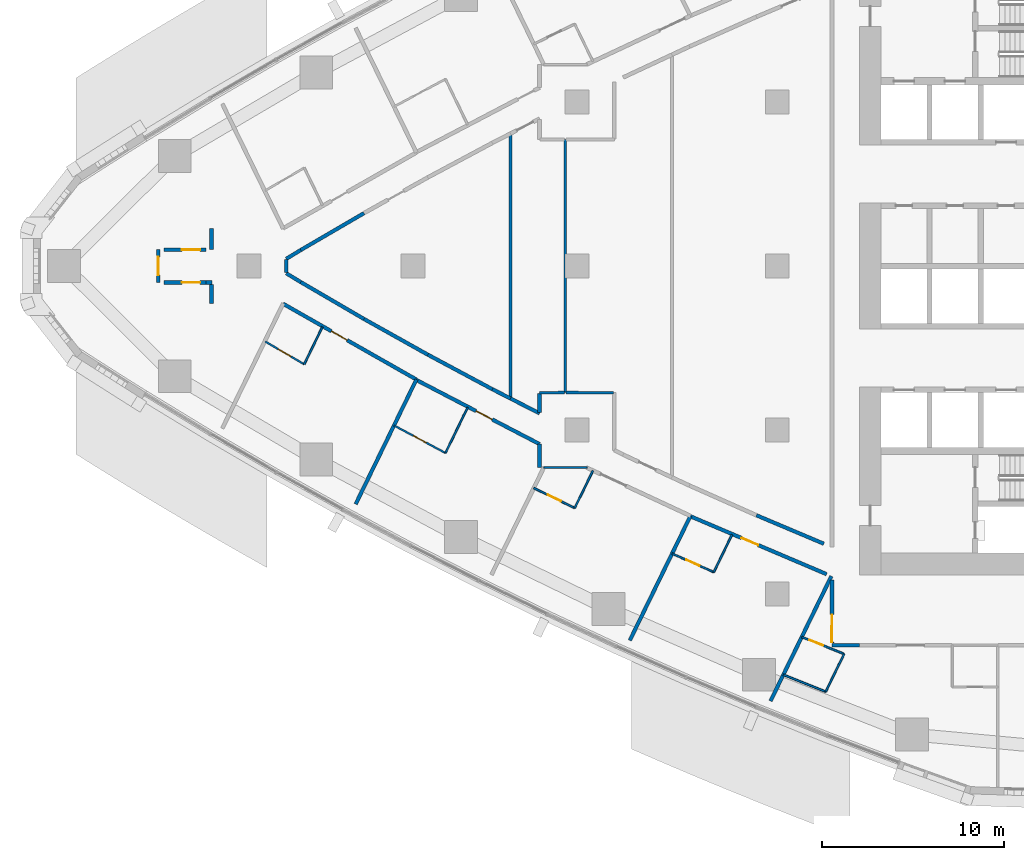
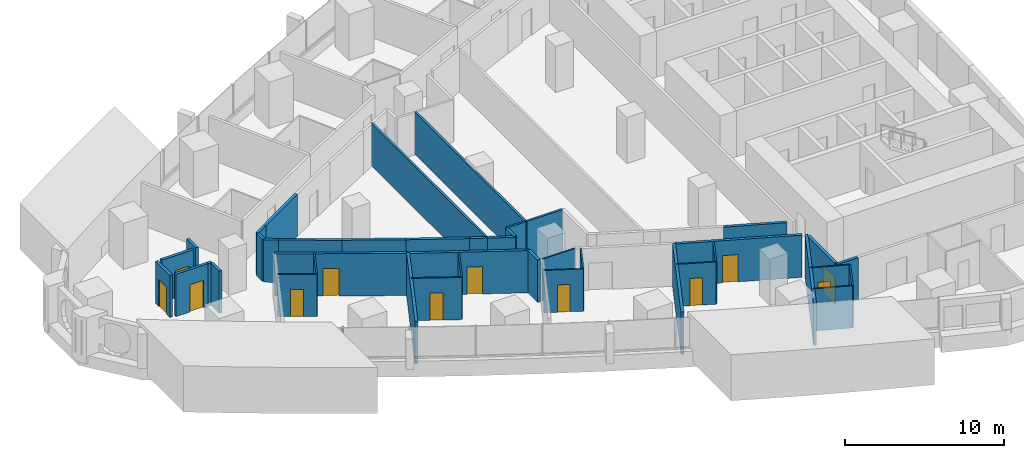
# One storey, part 9 of 19: 42 walls, 12 doors, 12 openings.
"""IFC4 building model written with IfcOpenShell, lengths in metres."""

from ifc_helpers import new_model, si_unit, direction, frame, frame_2d, origin, place, context, subcontext, project, spatial, rectangle, extrude, material, layer, layer_set, type_object, element, fill, save


model = new_model("IFC4")

# Units and contexts
model_context = context("Model", 3, precision=1e-05, world=origin(), true_north=direction((0.0, 1.0)))
body_context = subcontext(model_context, "Body", "Model", "MODEL_VIEW")
ifc_project = project(units=[si_unit("LENGTHUNIT", "METRE"), si_unit("AREAUNIT", "SQUARE_METRE"), si_unit("VOLUMEUNIT", "CUBIC_METRE"), si_unit("PLANEANGLEUNIT", "RADIAN"), si_unit("MASSUNIT", "GRAM", prefix="KILO")], contexts=[model_context])

# Site, building, storey
site_placement = place(None, origin())
site = spatial("IfcSite", under=ifc_project, at=site_placement, CompositionType="ELEMENT")
building_placement = place(site_placement, origin())
building = spatial("IfcBuilding", under=site, at=building_placement, Name="Ostrand Prow Hotel Tower", CompositionType="ELEMENT")
storey_placement = place(building_placement, frame((0.0, 0.0, 50.25)))
storey = spatial("IfcBuildingStorey", under=building, at=storey_placement, Name="L10", CompositionType="ELEMENT", Elevation=50.25)

# Wall
ifc_material_1 = material(Name="Plasterboard partition")
ifc_layer_1 = layer(ifc_material_1, 0.10009765625)
ifc_layer_set_1 = layer_set([ifc_layer_1], Name="Plasterboard partition")
wall_type_1 = type_object("IfcWallType", Name="Partition 100 bathroom wall", PredefinedType="PARTITIONING", material=ifc_layer_set_1)
wall_1_placement = place(storey_placement, frame((20.035400390625, -3.338134765625, 0.0), z_axis=(0.0, 0.0, 1.0), x_axis=(-0.438122322582, -0.898915363344, 0.0)))
element("IfcWall", 1, at=wall_1_placement, inside=storey, type_object=wall_type_1, Name="BATHROOM WALL", PredefinedType="PARTITIONING", context=body_context, shape_type="SweptSolid", body=[
    extrude(rectangle(XDim=2.282958984375, YDim=0.10009765625, at=frame_2d((1.1416015625, 0.0))), origin(), (0.0, 0.0, 1.0), 3.25),
])

# Wall, opening, door
wall_2_placement = place(storey_placement, frame((19.034912109375, -5.390380859375, 0.0), z_axis=(0.0, 0.0, 1.0), x_axis=(-0.863707305865, 0.503993739837, 0.0)))
wall_2 = element("IfcWall", 2, at=wall_2_placement, inside=storey, type_object=wall_type_1, Name="BATHROOM WALL", PredefinedType="PARTITIONING", context=body_context, shape_type="SweptSolid", body=[
    extrude(rectangle(XDim=2.473876953125, YDim=0.10009765625, at=frame_2d((1.23681640625, 0.0))), origin(), (0.0, 0.0, 1.0), 3.25),
])
opening_1_placement = place(wall_2_placement, frame((0.85009765625, 0.0, 0.0)))
opening_1 = element("IfcOpeningElement", 3, at=opening_1_placement, cuts=wall_2, Name="Opening D2", PredefinedType="OPENING", context=body_context, shape_type="SweptSolid", body=[
    extrude(rectangle(XDim=0.800048828125, YDim=2.10009765625, at=frame_2d((0.39990234375, 1.050048828125))), frame((0.0, 0.06005859375, 0.0), z_axis=(0.0, -1.0, 0.0), x_axis=(1.0, 0.0, 0.0)), (0.0, 0.0, 1.0), 0.1201171875),
])
ifc_material_2 = material(Name="Timber door leaf", Category="wood")
door_type_1 = type_object("IfcDoorType", Name="Bathroom door 800", OperationType="SINGLE_SWING_LEFT", PredefinedType="DOOR", material=ifc_material_2)
door_1_placement = place(opening_1_placement, origin())
door_1 = element("IfcDoor", 4, at=door_1_placement, inside=storey, type_object=door_type_1, Name="DOOR", OperationType="SINGLE_SWING_LEFT", OverallHeight=2.10009765625, OverallWidth=0.800048828125, PredefinedType="DOOR", context=body_context, shape_type="SweptSolid", body=[
    extrude(rectangle(XDim=0.800048828125, YDim=2.10009765625, at=frame_2d((0.39990234375, 1.050048828125))), frame((0.0, 0.02490234375, 0.0), z_axis=(0.0, -1.0, 0.0), x_axis=(1.0, 0.0, 0.0)), (0.0, 0.0, 1.0), 0.050048828125),
])
fill(opening_1, door_1)

# Wall
wall_3_placement = place(storey_placement, frame((28.00341796875, -7.7607421875, 0.0), z_axis=(0.0, 0.0, 1.0), x_axis=(-0.43822975423, -0.898862994292, 0.0)))
element("IfcWall", 5, at=wall_3_placement, inside=storey, type_object=wall_type_1, Name="BATHROOM WALL", PredefinedType="PARTITIONING", context=body_context, shape_type="SweptSolid", body=[
    extrude(rectangle(XDim=2.77880859375, YDim=0.10009765625, at=frame_2d((1.389404296875, 0.0))), origin(), (0.0, 0.0, 1.0), 3.25),
])

# Wall, opening, door
wall_4_placement = place(storey_placement, frame((26.785400390625, -10.258544921875, 0.0), z_axis=(0.0, 0.0, 1.0), x_axis=(-0.881653338438, 0.471897648672, 0.0)))
wall_4 = element("IfcWall", 6, at=wall_4_placement, inside=storey, type_object=wall_type_1, Name="BATHROOM WALL", PredefinedType="PARTITIONING", context=body_context, shape_type="SweptSolid", body=[
    extrude(rectangle(XDim=3.201904296875, YDim=0.10009765625, at=frame_2d((1.60107421875, 0.0))), origin(), (0.0, 0.0, 1.0), 3.25),
])
opening_2_placement = place(wall_4_placement, frame((1.199951171875, 0.0, 0.0)))
opening_2 = element("IfcOpeningElement", 7, at=opening_2_placement, cuts=wall_4, Name="Opening D2", PredefinedType="OPENING", context=body_context, shape_type="SweptSolid", body=[
    extrude(rectangle(XDim=0.800048828125, YDim=2.10009765625, at=frame_2d((0.39990234375, 1.050048828125))), frame((0.0, 0.06005859375, 0.0), z_axis=(0.0, -1.0, 0.0), x_axis=(1.0, 0.0, 0.0)), (0.0, 0.0, 1.0), 0.1201171875),
])
door_2_placement = place(opening_2_placement, origin())
door_2 = element("IfcDoor", 8, at=door_2_placement, inside=storey, type_object=door_type_1, Name="DOOR", OperationType="SINGLE_SWING_LEFT", OverallHeight=2.10009765625, OverallWidth=0.800048828125, PredefinedType="DOOR", context=body_context, shape_type="SweptSolid", body=[
    extrude(rectangle(XDim=0.800048828125, YDim=2.10009765625, at=frame_2d((0.39990234375, 1.050048828125))), frame((0.0, 0.02490234375, 0.0), z_axis=(0.0, -1.0, 0.0), x_axis=(1.0, 0.0, 0.0)), (0.0, 0.0, 1.0), 0.050048828125),
])
fill(opening_2, door_2)

# Wall
wall_5_placement = place(storey_placement, frame((34.876708984375, -11.233154296875, 0.0), z_axis=(0.0, 0.0, 1.0), x_axis=(-0.438227154656, -0.898864261678, 0.0)))
element("IfcWall", 9, at=wall_5_placement, inside=storey, type_object=wall_type_1, Name="BATHROOM WALL", PredefinedType="PARTITIONING", context=body_context, shape_type="SweptSolid", body=[
    extrude(rectangle(XDim=2.27685546875, YDim=0.10009765625, at=frame_2d((1.138427734375, 0.0))), origin(), (0.0, 0.0, 1.0), 3.25),
])

# Wall, opening, door
wall_6_placement = place(storey_placement, frame((33.87890625, -13.27978515625, 0.0), z_axis=(0.0, 0.0, 1.0), x_axis=(-0.89845285455, 0.439070003702, 0.0)))
wall_6 = element("IfcWall", 10, at=wall_6_placement, inside=storey, type_object=wall_type_1, Name="BATHROOM WALL", PredefinedType="PARTITIONING", context=body_context, shape_type="SweptSolid", body=[
    extrude(rectangle(XDim=2.5, YDim=0.10009765625, at=frame_2d((1.25, 0.0))), origin(), (0.0, 0.0, 1.0), 3.25),
])
opening_3_placement = place(wall_6_placement, frame((0.85009765625, 0.0, 0.0)))
opening_3 = element("IfcOpeningElement", 11, at=opening_3_placement, cuts=wall_6, Name="Opening D2", PredefinedType="OPENING", context=body_context, shape_type="SweptSolid", body=[
    extrude(rectangle(XDim=0.800048828125, YDim=2.10009765625, at=frame_2d((0.39990234375, 1.050048828125))), frame((0.0, 0.06005859375, 0.0), z_axis=(0.0, -1.0, 0.0), x_axis=(1.0, 0.0, 0.0)), (0.0, 0.0, 1.0), 0.1201171875),
])
door_3_placement = place(opening_3_placement, origin())
door_3 = element("IfcDoor", 12, at=door_3_placement, inside=storey, type_object=door_type_1, Name="DOOR", OperationType="SINGLE_SWING_LEFT", OverallHeight=2.10009765625, OverallWidth=0.800048828125, PredefinedType="DOOR", context=body_context, shape_type="SweptSolid", body=[
    extrude(rectangle(XDim=0.800048828125, YDim=2.10009765625, at=frame_2d((0.39990234375, 1.050048828125))), frame((0.0, 0.02490234375, 0.0), z_axis=(0.0, -1.0, 0.0), x_axis=(1.0, 0.0, 0.0)), (0.0, 0.0, 1.0), 0.050048828125),
])
fill(opening_3, door_3)

# Wall
wall_7_placement = place(storey_placement, frame((42.50830078125, -14.747802734375, 0.0), z_axis=(0.0, 0.0, 1.0), x_axis=(-0.4381470535, -0.898903309321, 0.0)))
element("IfcWall", 13, at=wall_7_placement, inside=storey, type_object=wall_type_1, Name="BATHROOM WALL", PredefinedType="PARTITIONING", context=body_context, shape_type="SweptSolid", body=[
    extrude(rectangle(XDim=2.2783203125, YDim=0.10009765625, at=frame_2d((1.13916015625, 0.0))), origin(), (0.0, 0.0, 1.0), 3.25),
])

# Wall, opening, door
wall_8_placement = place(storey_placement, frame((41.509765625, -16.7958984375, 0.0), z_axis=(0.0, 0.0, 1.0), x_axis=(-0.914000607553, 0.405712816401, 0.0)))
wall_8 = element("IfcWall", 14, at=wall_8_placement, inside=storey, type_object=wall_type_1, Name="BATHROOM WALL", PredefinedType="PARTITIONING", context=body_context, shape_type="SweptSolid", body=[
    extrude(rectangle(XDim=2.50146484375, YDim=0.10009765625, at=frame_2d((1.250732421875, 0.0))), origin(), (0.0, 0.0, 1.0), 3.25),
])
opening_4_placement = place(wall_8_placement, frame((0.85009765625, 0.0, 0.0)))
opening_4 = element("IfcOpeningElement", 15, at=opening_4_placement, cuts=wall_8, Name="Opening D2", PredefinedType="OPENING", context=body_context, shape_type="SweptSolid", body=[
    extrude(rectangle(XDim=0.800048828125, YDim=2.10009765625, at=frame_2d((0.39990234375, 1.050048828125))), frame((0.0, 0.06005859375, 0.0), z_axis=(0.0, -1.0, 0.0), x_axis=(1.0, 0.0, 0.0)), (0.0, 0.0, 1.0), 0.1201171875),
])
door_4_placement = place(opening_4_placement, origin())
door_4 = element("IfcDoor", 16, at=door_4_placement, inside=storey, type_object=door_type_1, Name="DOOR", OperationType="SINGLE_SWING_LEFT", OverallHeight=2.10009765625, OverallWidth=0.800048828125, PredefinedType="DOOR", context=body_context, shape_type="SweptSolid", body=[
    extrude(rectangle(XDim=0.800048828125, YDim=2.10009765625, at=frame_2d((0.39990234375, 1.050048828125))), frame((0.0, 0.02490234375, 0.0), z_axis=(0.0, -1.0, 0.0), x_axis=(1.0, 0.0, 0.0)), (0.0, 0.0, 1.0), 0.050048828125),
])
fill(opening_4, door_4)

# Wall
wall_9_placement = place(storey_placement, frame((47.65478515625, -23.360595703125, 0.0), z_axis=(0.0, 0.0, 1.0), x_axis=(-0.928288495333, 0.371860819975, 0.0)))
element("IfcWall", 17, at=wall_9_placement, inside=storey, type_object=wall_type_1, Name="BATHROOM WALL", PredefinedType="PARTITIONING", context=body_context, shape_type="SweptSolid", body=[
    extrude(rectangle(XDim=2.506591796875, YDim=0.10009765625, at=frame_2d((1.25341796875, 0.0))), origin(), (0.0, 0.0, 1.0), 3.25),
])

# Wall, opening, door
wall_10_placement = place(storey_placement, frame((46.33837890625, -20.35546875, 0.0), z_axis=(0.0, 0.0, 1.0), x_axis=(0.928288495333, -0.371860819975, 0.0)))
wall_10 = element("IfcWall", 18, at=wall_10_placement, inside=storey, type_object=wall_type_1, Name="BATHROOM WALL", PredefinedType="PARTITIONING", context=body_context, shape_type="SweptSolid", body=[
    extrude(rectangle(XDim=2.506591796875, YDim=0.10009765625, at=frame_2d((1.25341796875, 0.0))), origin(), (0.0, 0.0, 1.0), 3.25),
])
opening_5_placement = place(wall_10_placement, frame((0.449951171875, 0.0, 0.0)))
opening_5 = element("IfcOpeningElement", 19, at=opening_5_placement, cuts=wall_10, Name="Opening D2", PredefinedType="OPENING", context=body_context, shape_type="SweptSolid", body=[
    extrude(rectangle(XDim=0.800048828125, YDim=2.10009765625, at=frame_2d((0.39990234375, 1.050048828125))), frame((0.0, 0.06005859375, 0.0), z_axis=(0.0, -1.0, 0.0), x_axis=(1.0, 0.0, 0.0)), (0.0, 0.0, 1.0), 0.1201171875),
])
door_5_placement = place(opening_5_placement, origin())
door_5 = element("IfcDoor", 20, at=door_5_placement, inside=storey, type_object=door_type_1, Name="DOOR", OperationType="SINGLE_SWING_LEFT", OverallHeight=2.10009765625, OverallWidth=0.800048828125, PredefinedType="DOOR", context=body_context, shape_type="SweptSolid", body=[
    extrude(rectangle(XDim=0.800048828125, YDim=2.10009765625, at=frame_2d((0.39990234375, 1.050048828125))), frame((0.0, 0.02490234375, 0.0), z_axis=(0.0, -1.0, 0.0), x_axis=(1.0, 0.0, 0.0)), (0.0, 0.0, 1.0), 0.050048828125),
])
fill(opening_5, door_5)

# Walls
wall_11_placement = place(storey_placement, frame((48.665283203125, -21.28759765625, 0.0), z_axis=(0.0, 0.0, 1.0), x_axis=(-0.438171240168, -0.898891519756, 0.0)))
element("IfcWall", 21, at=wall_11_placement, inside=storey, type_object=wall_type_1, Name="BATHROOM WALL", PredefinedType="PARTITIONING", context=body_context, shape_type="SweptSolid", body=[
    extrude(rectangle(XDim=2.30615234375, YDim=0.10009765625, at=frame_2d((1.153076171875, 0.0))), origin(), (0.0, 0.0, 1.0), 3.25),
])
wall_12_placement = place(storey_placement, frame((32.182373046875, -11.054931640625, 0.0), z_axis=(0.0, 0.0, 1.0), x_axis=(1.0, 0.0, 0.0)))
element("IfcWall", 22, at=wall_12_placement, inside=storey, type_object=wall_type_1, Name="BATHROOM WALL", PredefinedType="PARTITIONING", context=body_context, shape_type="SweptSolid", body=[
    extrude(rectangle(XDim=2.370849609375, YDim=0.10009765625, at=frame_2d((1.185546875, 0.0))), origin(), (0.0, 0.0, 1.0), 3.25),
])
ifc_material_3 = material(Name="Plasterboard partition")
ifc_layer_2 = layer(ifc_material_3, 0.14990234375)
ifc_layer_set_2 = layer_set([ifc_layer_2], Name="Plasterboard partition")
wall_type_2 = type_object("IfcWallType", Name="Partition 150 room partition", PredefinedType="PARTITIONING", material=ifc_layer_set_2)
wall_13_placement = place(storey_placement, frame((30.353271484375, -7.267578125, 0.0), z_axis=(0.0, 0.0, 1.0), x_axis=(0.0, 1.0, 0.0)))
element("IfcWall", 23, at=wall_13_placement, inside=storey, type_object=wall_type_2, Name="ROOM PARTITION", PredefinedType="PARTITIONING", context=body_context, shape_type="SweptSolid", body=[
    extrude(rectangle(XDim=14.53515625, YDim=0.14990234375, at=frame_2d((7.267578125, 0.0))), origin(), (0.0, 0.0, 1.0), 3.25),
])
wall_14_placement = place(storey_placement, frame((33.353271484375, -6.949951171875, 0.0), z_axis=(0.0, 0.0, 1.0), x_axis=(0.0, 1.0, 0.0)))
element("IfcWall", 24, at=wall_14_placement, inside=storey, type_object=wall_type_2, Name="ROOM PARTITION", PredefinedType="PARTITIONING", context=body_context, shape_type="SweptSolid", body=[
    extrude(rectangle(XDim=13.89990234375, YDim=0.14990234375, at=frame_2d((6.949951171875, 0.0))), origin(), (0.0, 0.0, 1.0), 3.25),
])
wall_15_placement = place(storey_placement, frame((33.313232421875, -6.945068359375, 0.0), z_axis=(0.0, 0.0, 1.0), x_axis=(-0.999999744625, -0.00071466839, 0.0)))
element("IfcWall", 25, at=wall_15_placement, inside=storey, type_object=wall_type_2, Name="ROOM PARTITION", PredefinedType="PARTITIONING", context=body_context, shape_type="SweptSolid", body=[
    extrude(rectangle(XDim=1.366455078125, YDim=0.14990234375, at=frame_2d((0.68310546875, 0.0))), origin(), (0.0, 0.0, 1.0), 3.25),
])
wall_16_placement = place(storey_placement, frame((36.01318359375, -6.946044921875, 0.0), z_axis=(0.0, 0.0, 1.0), x_axis=(-0.999999930528, 0.000372751815, 0.0)))
element("IfcWall", 26, at=wall_16_placement, inside=storey, type_object=wall_type_2, Name="ROOM PARTITION", PredefinedType="PARTITIONING", context=body_context, shape_type="SweptSolid", body=[
    extrude(rectangle(XDim=2.619873046875, YDim=0.14990234375, at=frame_2d((1.31005859375, 0.0))), origin(), (0.0, 0.0, 1.0), 3.25),
])

# Wall, opening, door
ifc_material_4 = material(Name="Plasterboard partition")
ifc_layer_3 = layer(ifc_material_4, 0.199951171875)
ifc_layer_set_3 = layer_set([ifc_layer_3], Name="Plasterboard partition")
wall_type_3 = type_object("IfcWallType", Name="Partition 200 corridor wall", PredefinedType="PARTITIONING", material=ifc_layer_set_3)
wall_17_placement = place(storey_placement, frame((17.87353515625, -2.068115234375, 0.0), z_axis=(0.0, 0.0, 1.0), x_axis=(0.869280098963, -0.494319845391, 0.0)))
wall_17 = element("IfcWall", 27, at=wall_17_placement, inside=storey, type_object=wall_type_3, Name="CORRIDOR WALL", PredefinedType="PARTITIONING", context=body_context, shape_type="SweptSolid", body=[
    extrude(rectangle(XDim=8.4169921875, YDim=0.199951171875, at=frame_2d((4.20849609375, 0.0))), origin(), (0.0, 0.0, 1.0), 3.25),
])
opening_6_placement = place(wall_17_placement, frame((3.050048828125, 0.0, 0.0)))
opening_6 = element("IfcOpeningElement", 28, at=opening_6_placement, cuts=wall_17, Name="Opening D1R", PredefinedType="OPENING", context=body_context, shape_type="SweptSolid", body=[
    extrude(rectangle(XDim=1.0, YDim=2.10009765625, at=frame_2d((0.5, 1.050048828125))), frame((0.0, 0.10986328125, 0.0), z_axis=(0.0, -1.0, 0.0), x_axis=(1.0, 0.0, 0.0)), (0.0, 0.0, 1.0), 0.219970703125),
])
ifc_material_5 = material(Name="Timber door leaf", Category="wood")
door_type_2 = type_object("IfcDoorType", Name="Guest room door 1000 right", OperationType="SINGLE_SWING_RIGHT", PredefinedType="DOOR", material=ifc_material_5)
door_6_placement = place(opening_6_placement, origin())
door_6 = element("IfcDoor", 29, at=door_6_placement, inside=storey, type_object=door_type_2, Name="DOOR", OperationType="SINGLE_SWING_RIGHT", OverallHeight=2.10009765625, OverallWidth=1.0, PredefinedType="DOOR", context=body_context, shape_type="SweptSolid", body=[
    extrude(rectangle(XDim=1.0, YDim=2.10009765625, at=frame_2d((0.5, 1.050048828125))), frame((0.0, 0.02490234375, 0.0), z_axis=(0.0, -1.0, 0.0), x_axis=(1.0, 0.0, 0.0)), (0.0, 0.0, 1.0), 0.050048828125),
])
fill(opening_6, door_6)

wall_18_placement = place(storey_placement, frame((25.181396484375, -6.246826171875, 0.0), z_axis=(0.0, 0.0, 1.0), x_axis=(0.887026569793, -0.461718382221, 0.0)))
wall_18 = element("IfcWall", 30, at=wall_18_placement, inside=storey, type_object=wall_type_3, Name="CORRIDOR WALL", PredefinedType="PARTITIONING", context=body_context, shape_type="SweptSolid", body=[
    extrude(rectangle(XDim=7.630615234375, YDim=0.199951171875, at=frame_2d((3.8154296875, 0.0))), origin(), (0.0, 0.0, 1.0), 3.25),
])
opening_7_placement = place(wall_18_placement, frame((3.699951171875, 0.0, 0.0)))
opening_7 = element("IfcOpeningElement", 31, at=opening_7_placement, cuts=wall_18, Name="Opening D1R", PredefinedType="OPENING", context=body_context, shape_type="SweptSolid", body=[
    extrude(rectangle(XDim=1.0, YDim=2.10009765625, at=frame_2d((0.5, 1.050048828125))), frame((0.0, 0.10986328125, 0.0), z_axis=(0.0, -1.0, 0.0), x_axis=(1.0, 0.0, 0.0)), (0.0, 0.0, 1.0), 0.219970703125),
])
door_7_placement = place(opening_7_placement, origin())
door_7 = element("IfcDoor", 32, at=door_7_placement, inside=storey, type_object=door_type_2, Name="DOOR", OperationType="SINGLE_SWING_RIGHT", OverallHeight=2.10009765625, OverallWidth=1.0, PredefinedType="DOOR", context=body_context, shape_type="SweptSolid", body=[
    extrude(rectangle(XDim=1.0, YDim=2.10009765625, at=frame_2d((0.5, 1.050048828125))), frame((0.0, 0.02490234375, 0.0), z_axis=(0.0, -1.0, 0.0), x_axis=(1.0, 0.0, 0.0)), (0.0, 0.0, 1.0), 0.050048828125),
])
fill(opening_7, door_7)

# Walls
wall_19_placement = place(storey_placement, frame((30.353271484375, -7.267578125, 0.0), z_axis=(0.0, 0.0, 1.0), x_axis=(-0.890241988655, 0.455487872106, 0.0)))
element("IfcWall", 33, at=wall_19_placement, inside=storey, type_object=wall_type_3, Name="CORRIDOR WALL", PredefinedType="PARTITIONING", context=body_context, shape_type="SweptSolid", body=[
    extrude(rectangle(XDim=1.11865234375, YDim=0.199951171875, at=frame_2d((0.559326171875, 0.0))), origin(), (0.0, 0.0, 1.0), 3.25),
])
wall_20_placement = place(storey_placement, frame((29.357421875, -6.758056640625, 0.0), z_axis=(0.0, 0.0, 1.0), x_axis=(-0.881655245922, 0.471894084874, 0.0)))
element("IfcWall", 34, at=wall_20_placement, inside=storey, type_object=wall_type_3, Name="CORRIDOR WALL", PredefinedType="PARTITIONING", context=body_context, shape_type="SweptSolid", body=[
    extrude(rectangle(XDim=4.015869140625, YDim=0.199951171875, at=frame_2d((2.0078125, 0.0))), origin(), (0.0, 0.0, 1.0), 3.25),
])
wall_21_placement = place(storey_placement, frame((25.81689453125, -4.863037109375, 0.0), z_axis=(0.0, 0.0, 1.0), x_axis=(-0.872800289292, 0.488077509225, 0.0)))
element("IfcWall", 35, at=wall_21_placement, inside=storey, type_object=wall_type_3, Name="CORRIDOR WALL", PredefinedType="PARTITIONING", context=body_context, shape_type="SweptSolid", body=[
    extrude(rectangle(XDim=4.015625, YDim=0.199951171875, at=frame_2d((2.0078125, 0.0))), origin(), (0.0, 0.0, 1.0), 3.25),
])
wall_22_placement = place(storey_placement, frame((22.31201171875, -2.903076171875, 0.0), z_axis=(0.0, 0.0, 1.0), x_axis=(-0.863710538269, 0.503988200341, 0.0)))
element("IfcWall", 36, at=wall_22_placement, inside=storey, type_object=wall_type_3, Name="CORRIDOR WALL", PredefinedType="PARTITIONING", context=body_context, shape_type="SweptSolid", body=[
    extrude(rectangle(XDim=4.015869140625, YDim=0.199951171875, at=frame_2d((2.0078125, 0.0))), origin(), (0.0, 0.0, 1.0), 3.25),
])
for number, where, z_axis, x_axis, name in (
    (37, (18.843505859375, -0.879150390625, 0.0), (0.0, 0.0, 1.0), (-0.8542290073, 0.519896915828, 0.0), "CORRIDOR WALL"),
    (38, (18.050048828125, 0.396240234375, 0.0), (0.0, 0.0, 1.0), (0.8542290073, 0.519896915828, 0.0), "CORRIDOR WALL"),
):
    element("IfcWall", number, at=place(storey_placement, frame(where, z_axis=z_axis, x_axis=x_axis)), inside=storey, type_object=wall_type_3, Name=name, PredefinedType="PARTITIONING", context=body_context, shape_type="SweptSolid", body=[
        extrude(rectangle(XDim=0.928955078125, YDim=0.199951171875, at=frame_2d((0.46435546875, 0.0))), origin(), (0.0, 0.0, 1.0), 3.25),
    ])
wall_23_placement = place(storey_placement, frame((18.843505859375, 0.879150390625, 0.0), z_axis=(0.0, 0.0, 1.0), x_axis=(0.863710538269, 0.503988200341, 0.0)))
element("IfcWall", 39, at=wall_23_placement, inside=storey, type_object=wall_type_3, Name="CORRIDOR WALL", PredefinedType="PARTITIONING", context=body_context, shape_type="SweptSolid", body=[
    extrude(rectangle(XDim=4.015869140625, YDim=0.199951171875, at=frame_2d((2.0078125, 0.0))), origin(), (0.0, 0.0, 1.0), 3.25),
])
wall_24_placement = place(storey_placement, frame((31.949951171875, -8.084716796875, 0.0), z_axis=(0.0, 0.0, 1.0), x_axis=(-0.890195531144, 0.455578660969, 0.0)))
element("IfcWall", 40, at=wall_24_placement, inside=storey, type_object=wall_type_3, Name="CORRIDOR WALL", PredefinedType="PARTITIONING", context=body_context, shape_type="SweptSolid", body=[
    extrude(rectangle(XDim=1.793701171875, YDim=0.199951171875, at=frame_2d((0.89697265625, 0.0))), origin(), (0.0, 0.0, 1.0), 3.25),
])
wall_25_placement = place(storey_placement, frame((47.549560546875, -15.239013671875, 0.0), z_axis=(0.0, 0.0, 1.0), x_axis=(-0.921269894054, 0.388923877269, 0.0)))
element("IfcWall", 41, at=wall_25_placement, inside=storey, type_object=wall_type_3, Name="CORRIDOR WALL", PredefinedType="PARTITIONING", context=body_context, shape_type="SweptSolid", body=[
    extrude(rectangle(XDim=4.015625, YDim=0.199951171875, at=frame_2d((2.0078125, 0.0))), origin(), (0.0, 0.0, 1.0), 3.25),
])

# Wall, opening, door
wall_26_placement = place(storey_placement, frame((11.327392578125, 0.89990234375, 0.0), z_axis=(0.0, 0.0, 1.0), x_axis=(1.0, 0.0, 0.0)))
wall_26 = element("IfcWall", 42, at=wall_26_placement, inside=storey, type_object=wall_type_3, Name="CORRIDOR WALL", PredefinedType="PARTITIONING", context=body_context, shape_type="SweptSolid", body=[
    extrude(rectangle(XDim=2.322509765625, YDim=0.199951171875, at=frame_2d((1.1611328125, 0.0))), origin(), (0.0, 0.0, 1.0), 3.25),
])
opening_8_placement = place(wall_26_placement, frame((0.9951171875, 0.0, 0.0)))
opening_8 = element("IfcOpeningElement", 43, at=opening_8_placement, cuts=wall_26, Name="Opening D1", PredefinedType="OPENING", context=body_context, shape_type="SweptSolid", body=[
    extrude(rectangle(XDim=1.0, YDim=2.10009765625, at=frame_2d((0.5, 1.050048828125))), frame((0.0, 0.10986328125, 0.0), z_axis=(0.0, -1.0, 0.0), x_axis=(1.0, 0.0, 0.0)), (0.0, 0.0, 1.0), 0.219970703125),
])
ifc_material_6 = material(Name="Timber door leaf", Category="wood")
door_type_3 = type_object("IfcDoorType", Name="Guest room door 1000", OperationType="SINGLE_SWING_LEFT", PredefinedType="DOOR", material=ifc_material_6)
door_8_placement = place(opening_8_placement, origin())
door_8 = element("IfcDoor", 44, at=door_8_placement, inside=storey, type_object=door_type_3, Name="DOOR", OperationType="SINGLE_SWING_LEFT", OverallHeight=2.10009765625, OverallWidth=1.0, PredefinedType="DOOR", context=body_context, shape_type="SweptSolid", body=[
    extrude(rectangle(XDim=1.0, YDim=2.10009765625, at=frame_2d((0.5, 1.050048828125))), frame((0.0, 0.02490234375, 0.0), z_axis=(0.0, -1.0, 0.0), x_axis=(1.0, 0.0, 0.0)), (0.0, 0.0, 1.0), 0.050048828125),
])
fill(opening_8, door_8)

wall_27_placement = place(storey_placement, frame((11.327392578125, -0.89990234375, 0.0), z_axis=(0.0, 0.0, 1.0), x_axis=(1.0, 0.0, 0.0)))
wall_27 = element("IfcWall", 45, at=wall_27_placement, inside=storey, type_object=wall_type_3, Name="CORRIDOR WALL", PredefinedType="PARTITIONING", context=body_context, shape_type="SweptSolid", body=[
    extrude(rectangle(XDim=2.322509765625, YDim=0.199951171875, at=frame_2d((1.1611328125, 0.0))), origin(), (0.0, 0.0, 1.0), 3.25),
])
opening_9_placement = place(wall_27_placement, frame((0.9951171875, 0.0, 0.0)))
opening_9 = element("IfcOpeningElement", 46, at=opening_9_placement, cuts=wall_27, Name="Opening D1R", PredefinedType="OPENING", context=body_context, shape_type="SweptSolid", body=[
    extrude(rectangle(XDim=1.0, YDim=2.10009765625, at=frame_2d((0.5, 1.050048828125))), frame((0.0, 0.10986328125, 0.0), z_axis=(0.0, -1.0, 0.0), x_axis=(1.0, 0.0, 0.0)), (0.0, 0.0, 1.0), 0.219970703125),
])
door_9_placement = place(opening_9_placement, origin())
door_9 = element("IfcDoor", 47, at=door_9_placement, inside=storey, type_object=door_type_2, Name="DOOR", OperationType="SINGLE_SWING_RIGHT", OverallHeight=2.10009765625, OverallWidth=1.0, PredefinedType="DOOR", context=body_context, shape_type="SweptSolid", body=[
    extrude(rectangle(XDim=1.0, YDim=2.10009765625, at=frame_2d((0.5, 1.050048828125))), frame((0.0, 0.02490234375, 0.0), z_axis=(0.0, -1.0, 0.0), x_axis=(1.0, 0.0, 0.0)), (0.0, 0.0, 1.0), 0.050048828125),
])
fill(opening_9, door_9)

wall_28_placement = place(storey_placement, frame((40.22314453125, -13.730224609375, 0.0), z_axis=(0.0, 0.0, 1.0), x_axis=(0.920292261621, -0.391231585127, 0.0)))
wall_28 = element("IfcWall", 48, at=wall_28_placement, inside=storey, type_object=wall_type_3, Name="CORRIDOR WALL", PredefinedType="PARTITIONING", context=body_context, shape_type="SweptSolid", body=[
    extrude(rectangle(XDim=8.128662109375, YDim=0.199951171875, at=frame_2d((4.064453125, 0.0))), origin(), (0.0, 0.0, 1.0), 3.25),
])
opening_10_placement = place(wall_28_placement, frame((3.050048828125, 0.0, 0.0)))
opening_10 = element("IfcOpeningElement", 49, at=opening_10_placement, cuts=wall_28, Name="Opening D1R", PredefinedType="OPENING", context=body_context, shape_type="SweptSolid", body=[
    extrude(rectangle(XDim=1.0, YDim=2.10009765625, at=frame_2d((0.5, 1.050048828125))), frame((0.0, 0.10986328125, 0.0), z_axis=(0.0, -1.0, 0.0), x_axis=(1.0, 0.0, 0.0)), (0.0, 0.0, 1.0), 0.219970703125),
])
door_10_placement = place(opening_10_placement, origin())
door_10 = element("IfcDoor", 50, at=door_10_placement, inside=storey, type_object=door_type_2, Name="DOOR", OperationType="SINGLE_SWING_RIGHT", OverallHeight=2.10009765625, OverallWidth=1.0, PredefinedType="DOOR", context=body_context, shape_type="SweptSolid", body=[
    extrude(rectangle(XDim=1.0, YDim=2.10009765625, at=frame_2d((0.5, 1.050048828125))), frame((0.0, 0.02490234375, 0.0), z_axis=(0.0, -1.0, 0.0), x_axis=(1.0, 0.0, 0.0)), (0.0, 0.0, 1.0), 0.050048828125),
])
fill(opening_10, door_10)

# Walls
wall_29_placement = place(storey_placement, frame((18.054931640625, -0.356689453125, 0.0), z_axis=(0.0, 0.0, 1.0), x_axis=(0.0, 1.0, 0.0)))
element("IfcWall", 51, at=wall_29_placement, inside=storey, type_object=wall_type_3, Name="CORRIDOR WALL", PredefinedType="PARTITIONING", context=body_context, shape_type="SweptSolid", body=[
    extrude(rectangle(XDim=0.71337890625, YDim=0.199951171875, at=frame_2d((0.356689453125, 0.0))), origin(), (0.0, 0.0, 1.0), 3.25),
])
wall_30_placement = place(storey_placement, frame((31.94677734375, -6.986083984375, 0.0), z_axis=(0.0, 0.0, 1.0), x_axis=(-0.001625636496, -0.999998678652, 0.0)))
element("IfcWall", 52, at=wall_30_placement, inside=storey, type_object=wall_type_3, Name="CORRIDOR WALL", PredefinedType="PARTITIONING", context=body_context, shape_type="SweptSolid", body=[
    extrude(rectangle(XDim=1.05126953125, YDim=0.199951171875, at=frame_2d((0.525634765625, 0.0))), origin(), (0.0, 0.0, 1.0), 3.25),
])
wall_31_placement = place(storey_placement, frame((13.945556640625, 2.052490234375, 0.0), z_axis=(0.0, 0.0, 1.0), x_axis=(-0.000424178117, -0.999999910036, 0.0)))
element("IfcWall", 53, at=wall_31_placement, inside=storey, type_object=wall_type_3, Name="CORRIDOR WALL", PredefinedType="PARTITIONING", context=body_context, shape_type="SweptSolid", body=[
    extrude(rectangle(XDim=1.151123046875, YDim=0.199951171875, at=frame_2d((0.57568359375, 0.0))), origin(), (0.0, 0.0, 1.0), 3.25),
])
wall_32_placement = place(storey_placement, frame((13.64990234375, -0.89990234375, 0.0), z_axis=(0.0, 0.0, 1.0), x_axis=(0.999984810316, -0.005511727301, 0.0)))
element("IfcWall", 54, at=wall_32_placement, inside=storey, type_object=wall_type_3, Name="CORRIDOR WALL", PredefinedType="PARTITIONING", context=body_context, shape_type="SweptSolid", body=[
    extrude(rectangle(XDim=0.31005859375, YDim=0.199951171875, at=frame_2d((0.155029296875, 0.0))), origin(), (0.0, 0.0, 1.0), 3.25),
])
wall_33_placement = place(storey_placement, frame((13.945068359375, -1.021484375, 0.0), z_axis=(0.0, 0.0, 1.0), x_axis=(0.000473596916, -0.999999887853, 0.0)))
element("IfcWall", 55, at=wall_33_placement, inside=storey, type_object=wall_type_3, Name="CORRIDOR WALL", PredefinedType="PARTITIONING", context=body_context, shape_type="SweptSolid", body=[
    extrude(rectangle(XDim=1.031005859375, YDim=0.199951171875, at=frame_2d((0.515625, 0.0))), origin(), (0.0, 0.0, 1.0), 3.25),
])
wall_34_placement = place(storey_placement, frame((31.949951171875, -9.77001953125, 0.0), z_axis=(0.0, 0.0, 1.0), x_axis=(-0.003811674235, -0.999992735543, 0.0)))
element("IfcWall", 56, at=wall_34_placement, inside=storey, type_object=wall_type_3, Name="CORRIDOR WALL", PredefinedType="PARTITIONING", context=body_context, shape_type="SweptSolid", body=[
    extrude(rectangle(XDim=1.281005859375, YDim=0.199951171875, at=frame_2d((0.640625, 0.0))), origin(), (0.0, 0.0, 1.0), 3.25),
])
wall_35_placement = place(storey_placement, frame((47.995361328125, -20.802001953125, 0.0), z_axis=(0.0, 0.0, 1.0), x_axis=(0.999998104399, -0.001947099992, 0.0)))
element("IfcWall", 57, at=wall_35_placement, inside=storey, type_object=wall_type_3, Name="CORRIDOR WALL", PredefinedType="PARTITIONING", context=body_context, shape_type="SweptSolid", body=[
    extrude(rectangle(XDim=1.504638671875, YDim=0.199951171875, at=frame_2d((0.75244140625, 0.0))), origin(), (0.0, 0.0, 1.0), 3.25),
])

# Wall, opening, door
wall_36_placement = place(storey_placement, frame((47.99853515625, -17.223876953125, 0.0), z_axis=(0.0, 0.0, 1.0), x_axis=(-0.000847217996, -0.999999641111, 0.0)))
wall_36 = element("IfcWall", 58, at=wall_36_placement, inside=storey, type_object=wall_type_3, Name="CORRIDOR WALL", PredefinedType="PARTITIONING", context=body_context, shape_type="SweptSolid", body=[
    extrude(rectangle(XDim=3.4580078125, YDim=0.199951171875, at=frame_2d((1.72900390625, 0.0))), origin(), (0.0, 0.0, 1.0), 3.25),
])
opening_11_placement = place(wall_36_placement, frame((1.907958984375, 0.0, 0.0)))
opening_11 = element("IfcOpeningElement", 59, at=opening_11_placement, cuts=wall_36, Name="Opening D15", PredefinedType="OPENING", context=body_context, shape_type="SweptSolid", body=[
    extrude(rectangle(XDim=1.5, YDim=2.10009765625, at=frame_2d((0.75, 1.050048828125))), frame((0.0, 0.10986328125, 0.0), z_axis=(0.0, -1.0, 0.0), x_axis=(1.0, 0.0, 0.0)), (0.0, 0.0, 1.0), 0.219970703125),
])
ifc_material_7 = material(Name="Timber door leaf", Category="wood")
door_type_4 = type_object("IfcDoorType", Name="Double door 1500", OperationType="DOUBLE_DOOR_SINGLE_SWING", PredefinedType="DOOR", material=ifc_material_7)
door_11_placement = place(opening_11_placement, origin())
door_11 = element("IfcDoor", 60, at=door_11_placement, inside=storey, type_object=door_type_4, Name="DOOR", OperationType="DOUBLE_DOOR_SINGLE_SWING", OverallHeight=2.10009765625, OverallWidth=1.5, PredefinedType="DOOR", context=body_context, shape_type="SweptSolid", body=[
    extrude(rectangle(XDim=1.5, YDim=2.10009765625, at=frame_2d((0.75, 1.050048828125))), frame((0.0, 0.02490234375, 0.0), z_axis=(0.0, -1.0, 0.0), x_axis=(1.0, 0.0, 0.0)), (0.0, 0.0, 1.0), 0.050048828125),
])
fill(opening_11, door_11)

# Walls
ifc_material_8 = material(Name="Plasterboard partition")
ifc_layer_4 = layer(ifc_material_8, 0.199951171875)
ifc_layer_set_4 = layer_set([ifc_layer_4], Name="Plasterboard partition")
wall_type_4 = type_object("IfcWallType", Name="Partition 200 key partition", PredefinedType="PARTITIONING", material=ifc_layer_set_4)
wall_37_placement = place(storey_placement, frame((21.857421875, -13.065185546875, 0.0), z_axis=(0.0, 0.0, 1.0), x_axis=(0.438202895602, 0.898876088394, 0.0)))
element("IfcWall", 61, at=wall_37_placement, inside=storey, type_object=wall_type_4, Name="KEY PARTITION", PredefinedType="PARTITIONING", context=body_context, shape_type="SweptSolid", body=[
    extrude(rectangle(XDim=7.60546875, YDim=0.199951171875, at=frame_2d((3.802734375, 0.0))), origin(), (0.0, 0.0, 1.0), 3.25),
])
wall_38_placement = place(storey_placement, frame((36.8994140625, -20.548095703125, 0.0), z_axis=(0.0, 0.0, 1.0), x_axis=(0.438202247191, 0.898876404494, 0.0)))
element("IfcWall", 62, at=wall_38_placement, inside=storey, type_object=wall_type_4, Name="KEY PARTITION", PredefinedType="PARTITIONING", context=body_context, shape_type="SweptSolid", body=[
    extrude(rectangle(XDim=7.60498046875, YDim=0.199951171875, at=frame_2d((3.802490234375, 0.0))), origin(), (0.0, 0.0, 1.0), 3.25),
])
wall_39_placement = place(storey_placement, frame((44.625, -23.870361328125, 0.0), z_axis=(0.0, 0.0, 1.0), x_axis=(0.438207101073, 0.898874038211, 0.0)))
element("IfcWall", 63, at=wall_39_placement, inside=storey, type_object=wall_type_4, Name="KEY PARTITION", PredefinedType="PARTITIONING", context=body_context, shape_type="SweptSolid", body=[
    extrude(rectangle(XDim=7.619873046875, YDim=0.199951171875, at=frame_2d((3.81005859375, 0.0))), origin(), (0.0, 0.0, 1.0), 3.25),
])

# Wall, opening, door
ifc_material_9 = material(Name="Plasterboard partition")
ifc_layer_5 = layer(ifc_material_9, 0.199951171875)
ifc_layer_set_5 = layer_set([ifc_layer_5], Name="Plasterboard partition")
wall_type_5 = type_object("IfcWallType", Name="Partition 200 lounge wall", PredefinedType="PARTITIONING", material=ifc_layer_set_5)
wall_40_placement = place(storey_placement, frame((11.02734375, -0.89990234375, 0.0), z_axis=(0.0, 0.0, 1.0), x_axis=(0.0, 1.0, 0.0)))
wall_40 = element("IfcWall", 64, at=wall_40_placement, inside=storey, type_object=wall_type_5, Name="LOUNGE WALL", PredefinedType="PARTITIONING", context=body_context, shape_type="SweptSolid", body=[
    extrude(rectangle(XDim=1.7998046875, YDim=0.199951171875, at=frame_2d((0.89990234375, 0.0))), origin(), (0.0, 0.0, 1.0), 3.25),
])
opening_12_placement = place(wall_40_placement, frame((0.39990234375, 0.0, 0.0)))
opening_12 = element("IfcOpeningElement", 65, at=opening_12_placement, cuts=wall_40, Name="Opening D1", PredefinedType="OPENING", context=body_context, shape_type="SweptSolid", body=[
    extrude(rectangle(XDim=1.0, YDim=2.10009765625, at=frame_2d((0.5, 1.050048828125))), frame((0.0, 0.10986328125, 0.0), z_axis=(0.0, -1.0, 0.0), x_axis=(1.0, 0.0, 0.0)), (0.0, 0.0, 1.0), 0.219970703125),
])
door_12_placement = place(opening_12_placement, origin())
door_12 = element("IfcDoor", 66, at=door_12_placement, inside=storey, type_object=door_type_3, Name="DOOR", OperationType="SINGLE_SWING_LEFT", OverallHeight=2.10009765625, OverallWidth=1.0, PredefinedType="DOOR", context=body_context, shape_type="SweptSolid", body=[
    extrude(rectangle(XDim=1.0, YDim=2.10009765625, at=frame_2d((0.5, 1.050048828125))), frame((0.0, 0.02490234375, 0.0), z_axis=(0.0, -1.0, 0.0), x_axis=(1.0, 0.0, 0.0)), (0.0, 0.0, 1.0), 0.050048828125),
])
fill(opening_12, door_12)

save(model, "model.ifc")
